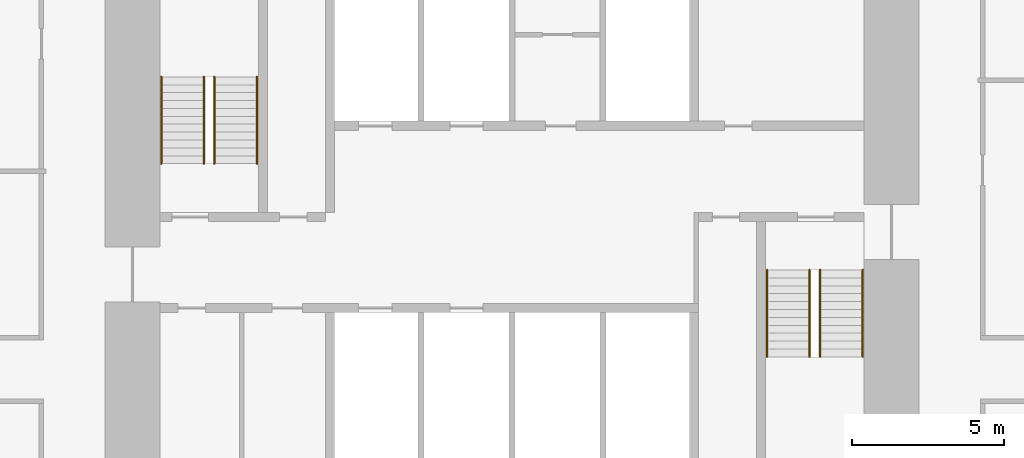
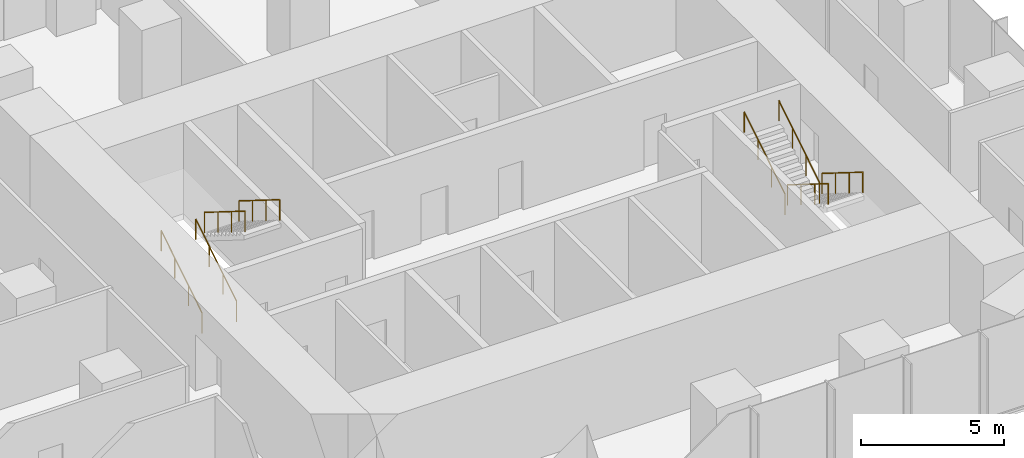
# One storey, part 11 of 11: 8 railings.
"""IFC4 building model written with IfcOpenShell, lengths in metres."""

from ifc_helpers import new_model, si_unit, direction, frame, origin, origin_2d, place, context, subcontext, project, spatial, circle, extrude, material, type_object, element, save


model = new_model("IFC4")

# Units and contexts
model_context = context("Model", 3, precision=1e-05, world=origin(), true_north=direction((0.0, 1.0)))
body_context = subcontext(model_context, "Body", "Model", "MODEL_VIEW")
ifc_project = project(units=[si_unit("LENGTHUNIT", "METRE"), si_unit("AREAUNIT", "SQUARE_METRE"), si_unit("VOLUMEUNIT", "CUBIC_METRE"), si_unit("PLANEANGLEUNIT", "RADIAN"), si_unit("MASSUNIT", "GRAM", prefix="KILO")], contexts=[model_context])

# Site, building, storey
site_placement = place(None, origin())
site = spatial("IfcSite", under=ifc_project, at=site_placement, CompositionType="ELEMENT")
building_placement = place(site_placement, origin())
building = spatial("IfcBuilding", under=site, at=building_placement, Name="Highveld Stack Headquarters", CompositionType="ELEMENT")
storey_placement = place(building_placement, frame((0.0, 0.0, 109.39990234375)))
storey = spatial("IfcBuildingStorey", under=building, at=storey_placement, Name="L26", CompositionType="ELEMENT", Elevation=109.39990234375)

# Railings
ifc_material = material(Name="Stainless steel handrail", Category="steel")
railing_type = type_object("IfcRailingType", Name="STAIR HANDRAIL HR1 900", PredefinedType="HANDRAIL", material=ifc_material)
for number, where, name in (
    (1, (-5.550048828125, 4.75, 0.16259765625), "Handrail S1 L26 flight 1"),
    (2, (-4.14990234375, 4.75, 0.16259765625), "Handrail S1 L26 flight 1"),
):
    element("IfcRailing", number, at=place(storey_placement, frame(where)), inside=storey, type_object=railing_type, Name=name, PredefinedType="HANDRAIL", context=body_context, shape_type="SweptSolid", body=[
        extrude(circle(Radius=0.02392578125, at=origin_2d()), frame((0.0, 0.0, 0.8759765625), z_axis=(0.0, 0.847994237388, 0.530005446535), x_axis=(-1.0, 0.0, 0.0)), (0.0, 0.0, 1.0), 3.372802734375),
        extrude(circle(Radius=0.02099609375, at=origin_2d()), origin(), (0.0, 0.0, 1.0), 0.851806640625),
        extrude(circle(Radius=0.02099609375, at=origin_2d()), frame((0.0, 0.953369140625, 0.595947265625)), (0.0, 0.0, 1.0), 0.851806640625),
        extrude(circle(Radius=0.02099609375, at=origin_2d()), frame((0.0, 1.90673828125, 1.191650390625)), (0.0, 0.0, 1.0), 0.851806640625),
        extrude(circle(Radius=0.02099609375, at=origin_2d()), frame((0.0, 2.860107421875, 1.78759765625)), (0.0, 0.0, 1.0), 0.851806640625),
    ])
for number, where, name in (
    (3, (-3.800048828125, 7.610107421875, 2.112548828125), "Handrail S1 L26 flight 2"),
    (4, (-2.39990234375, 7.610107421875, 2.112548828125), "Handrail S1 L26 flight 2"),
    (5, (16.14990234375, 1.25, 0.16259765625), "Handrail S2 L26 flight 1"),
    (6, (17.550048828125, 1.25, 0.16259765625), "Handrail S2 L26 flight 1"),
):
    element("IfcRailing", number, at=place(storey_placement, frame(where)), inside=storey, type_object=railing_type, Name=name, PredefinedType="HANDRAIL", context=body_context, shape_type="SweptSolid", body=[
        extrude(circle(Radius=0.02392578125, at=origin_2d()), frame((0.0, 0.0, 0.8759765625), z_axis=(0.0, -0.847994237388, 0.530005446535), x_axis=(1.0, 0.0, 0.0)), (0.0, 0.0, 1.0), 3.372802734375),
        extrude(circle(Radius=0.02099609375, at=origin_2d()), origin(), (0.0, 0.0, 1.0), 0.851806640625),
        extrude(circle(Radius=0.02099609375, at=origin_2d()), frame((0.0, -0.953369140625, 0.595947265625)), (0.0, 0.0, 1.0), 0.851806640625),
        extrude(circle(Radius=0.02099609375, at=origin_2d()), frame((0.0, -1.90673828125, 1.191650390625)), (0.0, 0.0, 1.0), 0.851806640625),
        extrude(circle(Radius=0.02099609375, at=origin_2d()), frame((0.0, -2.860107421875, 1.78759765625)), (0.0, 0.0, 1.0), 0.851806640625),
    ])
for number, where, name in (
    (7, (14.39990234375, -1.610107421875, 2.112548828125), "Handrail S2 L26 flight 2"),
    (8, (15.800048828125, -1.610107421875, 2.112548828125), "Handrail S2 L26 flight 2"),
):
    element("IfcRailing", number, at=place(storey_placement, frame(where)), inside=storey, type_object=railing_type, Name=name, PredefinedType="HANDRAIL", context=body_context, shape_type="SweptSolid", body=[
        extrude(circle(Radius=0.02392578125, at=origin_2d()), frame((0.0, 0.0, 0.8759765625), z_axis=(0.0, 0.847994237388, 0.530005446535), x_axis=(-1.0, 0.0, 0.0)), (0.0, 0.0, 1.0), 3.372802734375),
        extrude(circle(Radius=0.02099609375, at=origin_2d()), origin(), (0.0, 0.0, 1.0), 0.851806640625),
        extrude(circle(Radius=0.02099609375, at=origin_2d()), frame((0.0, 0.953369140625, 0.595947265625)), (0.0, 0.0, 1.0), 0.851806640625),
        extrude(circle(Radius=0.02099609375, at=origin_2d()), frame((0.0, 1.90673828125, 1.191650390625)), (0.0, 0.0, 1.0), 0.851806640625),
        extrude(circle(Radius=0.02099609375, at=origin_2d()), frame((0.0, 2.860107421875, 1.78759765625)), (0.0, 0.0, 1.0), 0.851806640625),
    ])

save(model, "model.ifc")
